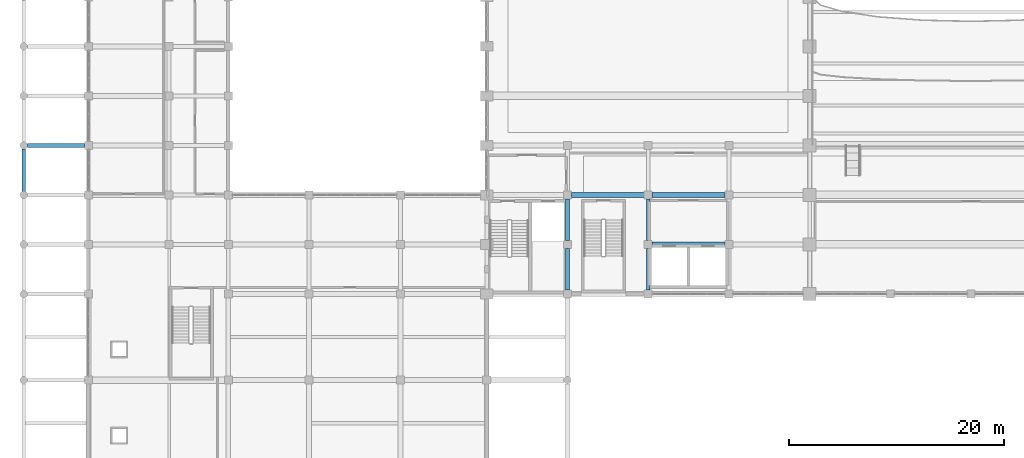
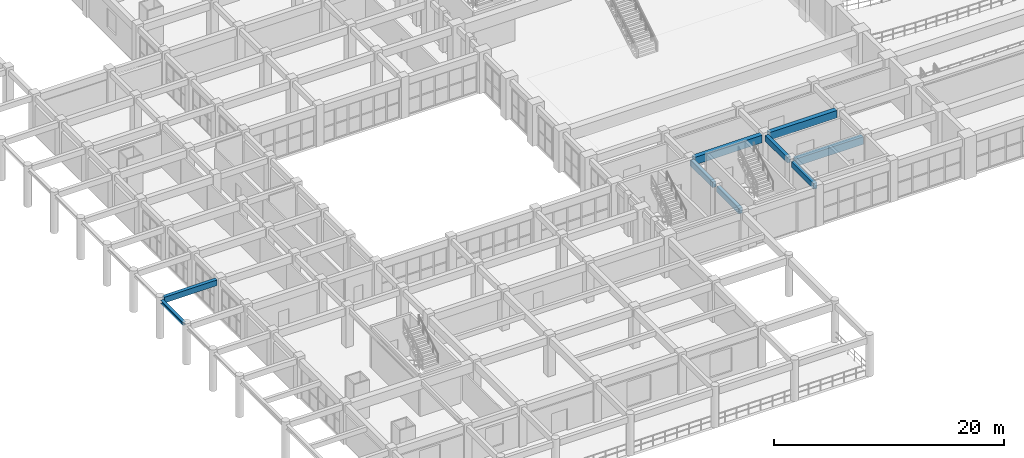
# One storey, part 17 of 116: 9 beams.
"""IFC4 building model written with IfcOpenShell, lengths in metres."""

import ifcopenshell
import ifcopenshell.guid

model = None  # the IFC model being written
_history = None  # IfcOwnerHistory: only IFC2X3 demands one
_inside = {}  # id of a spatial element -> (the spatial element, [elements in it])
_under = {}  # id of a project, library or spatial element -> (it, [spatial elements below it])
_declared = {}  # id of a project -> (the project, [libraries it declares])
_typed = {}  # id of a type object -> (the type object, [elements of that type])
_made_of = {}  # id of a material, layer set ... -> (it, [elements and type objects made of it])


def new_model(schema):
    """Start an empty IFC model of exactly this schema.

    Asked for "IFC4X3", IfcOpenShell would pick the latest addendum, in which some entities
    have other attributes; the version numbers below select the first issue.
    IFC2X3 requires an IfcOwnerHistory on every rooted entity: one is made here for all.
    """
    global model, _history
    if schema == "IFC4X3":
        model = ifcopenshell.file(schema_version=(4, 3, 0, 0))
    else:
        model = ifcopenshell.file(schema=schema)
    _inside.clear()
    _under.clear()
    _declared.clear()
    _typed.clear()
    _made_of.clear()
    _history = None
    if model.schema == "IFC2X3":
        org = make("IfcOrganization", Name="unknown")
        user = make(
            "IfcPersonAndOrganization",
            ThePerson=make("IfcPerson", FamilyName="unknown"),
            TheOrganization=org,
        )
        app = make(
            "IfcApplication",
            ApplicationDeveloper=org,
            Version="unknown",
            ApplicationFullName="unknown",
            ApplicationIdentifier="unknown",
        )
        _history = make(
            "IfcOwnerHistory",
            OwningUser=user,
            OwningApplication=app,
            ChangeAction="ADDED",
            CreationDate=0,
        )
    return model


def make(cls, **values):
    """One entity of the class cls with the attributes given. An attribute that is None is left unset."""
    return model.create_entity(
        cls, **{name: value for name, value in values.items() if value is not None}
    )


def rooted(cls, **values):
    """An entity with a GlobalId (a new one), such as an element, a storey or a relation."""
    return make(cls, GlobalId=ifcopenshell.guid.new(), OwnerHistory=_history, **values)


def si_unit(unit_type, name, prefix=None):
    """IfcSIUnit, for example si_unit("LENGTHUNIT", "METRE", prefix="MILLI")."""
    return make("IfcSIUnit", UnitType=unit_type, Prefix=prefix, Name=name)


def assignment(units):
    """IfcUnitAssignment: the units of a project."""
    return None if units is None else make("IfcUnitAssignment", Units=units)


def point(xyz):
    """IfcCartesianPoint."""
    return None if xyz is None else make("IfcCartesianPoint", Coordinates=xyz)


def direction(xyz):
    """IfcDirection."""
    return None if xyz is None else make("IfcDirection", DirectionRatios=xyz)


def frame(location, z_axis=None, x_axis=None):
    """IfcAxis2Placement3D, a coordinate frame: its origin and axes. An axis left out is left unset."""
    return make(
        "IfcAxis2Placement3D",
        Location=point(location),
        Axis=direction(z_axis),
        RefDirection=direction(x_axis),
    )


def frame_2d(location, x_axis=None):
    """IfcAxis2Placement2D, a coordinate frame in the plane: its origin and x axis."""
    return make(
        "IfcAxis2Placement2D", Location=point(location), RefDirection=direction(x_axis)
    )


def origin():
    """The frame at (0, 0, 0) with its axes left unset."""
    return frame((0.0, 0.0, 0.0))


def origin_2d():
    """The frame at (0, 0) in the plane with its x axis left unset."""
    return frame_2d((0.0, 0.0))


def place(relative_to, where):
    """IfcLocalPlacement: puts the frame where relative to a parent placement (None: the world)."""
    return make(
        "IfcLocalPlacement", PlacementRelTo=relative_to, RelativePlacement=where
    )


def context(
    kind, dimensions, precision=None, world=None, true_north=None, identifier=None
):
    """IfcGeometricRepresentationContext, for example the 3D "Model" context."""
    return make(
        "IfcGeometricRepresentationContext",
        ContextIdentifier=identifier,
        ContextType=kind,
        CoordinateSpaceDimension=dimensions,
        Precision=precision,
        WorldCoordinateSystem=world,
        TrueNorth=true_north,
    )


def subcontext(parent, identifier, kind, view, scale=None):
    """IfcGeometricRepresentationSubContext, for example "Body" below "Model"."""
    return make(
        "IfcGeometricRepresentationSubContext",
        ContextIdentifier=identifier,
        ContextType=kind,
        ParentContext=parent,
        TargetScale=scale,
        TargetView=view,
    )


def project(units=None, contexts=None):
    """IfcProject with its units and contexts."""
    return rooted(
        "IfcProject",
        Name="project",
        RepresentationContexts=contexts,
        UnitsInContext=assignment(units),
    )


def spatial(cls, under=None, at=None, **own):
    """A site, building, storey or space (cls), placed at a placement, below another one or the project."""
    s = rooted(cls, ObjectPlacement=at, **own)
    if under is not None:
        _under.setdefault(under.id(), (under, []))[1].append(s)
    return s


def profile(cls, at=None, kind="AREA", **sizes):
    """A parametric profile (cls). Its sizes go by their IFC names, for example OverallWidth=200.0."""
    return make(cls, ProfileType=kind, Position=at, **sizes)


def rectangle(**sizes):
    """IfcRectangleProfileDef."""
    return profile("IfcRectangleProfileDef", **sizes)


def i_section(**sizes):
    """IfcIShapeProfileDef."""
    return profile("IfcIShapeProfileDef", **sizes)


def extrude(swept, where, along, depth):
    """IfcExtrudedAreaSolid: the profile swept, set in the frame where, extruded along a direction by depth."""
    return make(
        "IfcExtrudedAreaSolid",
        SweptArea=swept,
        Position=where,
        ExtrudedDirection=direction(along),
        Depth=depth,
    )


def shape(context_of_items, identifier, shape_type, items):
    """IfcShapeRepresentation: the items that make up one representation, for example the "Body"."""
    return make(
        "IfcShapeRepresentation",
        ContextOfItems=context_of_items,
        RepresentationIdentifier=identifier,
        RepresentationType=shape_type,
        Items=items,
    )


def material(Name=None, Category=None):
    """IfcMaterial."""
    return make("IfcMaterial", Name=Name, Category=Category)


def material_profile(
    of_material, cross_section, Name=None, Category=None, Priority=None
):
    """IfcMaterialProfile: a cross section and its material."""
    return make(
        "IfcMaterialProfile",
        Name=Name,
        Material=of_material,
        Profile=cross_section,
        Priority=Priority,
        Category=Category,
    )


def profile_set(profiles, Name=None, composite=None):
    """IfcMaterialProfileSet."""
    return make(
        "IfcMaterialProfileSet",
        Name=Name,
        MaterialProfiles=profiles,
        CompositeProfile=composite,
    )


def made_of(thing, what):
    """Note that an element or type object is made of a material, layer set ...; save() writes the relation."""
    if what is not None:
        _made_of.setdefault(what.id(), (what, []))[1].append(thing)
    return thing


def type_object(cls, material=None, **own):
    """A type object (cls), such as IfcWallType, which elements share."""
    return made_of(rooted(cls, **own), material)


def element(
    cls,
    number,
    at=None,
    inside=None,
    cuts=None,
    type_object=None,
    material=None,
    context=None,
    identifier="Body",
    shape_type=None,
    held_by="IfcProductDefinitionShape",
    body=None,
    shapes=None,
    **own,
):
    """One element of the class cls, such as IfcWall. Its Tag is "e" and its number.

    at: its placement. inside: the storey or other place that contains it. cuts: it is an
    opening in that element (IfcRelVoidsElement). A single representation is given by context,
    identifier, shape_type and body (its items); several are given by shapes. held_by: the class
    of the entity that holds the representations. save() writes the other relations.
    """
    e = rooted(cls, Tag="e%d" % number, ObjectPlacement=at, **own)
    if body is not None:
        shapes = [shape(context, identifier, shape_type, body)]
    if shapes is not None:
        e.Representation = make(held_by, Representations=shapes)
    if inside is not None:
        _inside.setdefault(inside.id(), (inside, []))[1].append(e)
    if cuts is not None:
        rooted(
            "IfcRelVoidsElement", RelatingBuildingElement=cuts, RelatedOpeningElement=e
        )
    if type_object is not None:
        _typed.setdefault(type_object.id(), (type_object, []))[1].append(e)
    return made_of(e, material)


def aggregate(whole, parts):
    """IfcRelAggregates: a whole, such as a stair, and the parts it consists of."""
    return rooted("IfcRelAggregates", RelatingObject=whole, RelatedObjects=parts)


def save(model, path):
    """Write the relations noted so far, then the file.

    IfcRelAggregates (storeys below a building ...), IfcRelContainedInSpatialStructure (elements
    in a storey), IfcRelDefinesByType, IfcRelAssociatesMaterial and IfcRelDeclares: one each for
    every whole, place, type object, material and project.
    """
    for whole, parts in _under.values():
        aggregate(whole, parts)
    for where, things in _inside.values():
        rooted(
            "IfcRelContainedInSpatialStructure",
            RelatedElements=things,
            RelatingStructure=where,
        )
    for kind, things in _typed.values():
        rooted("IfcRelDefinesByType", RelatedObjects=things, RelatingType=kind)
    for what, things in _made_of.values():
        rooted("IfcRelAssociatesMaterial", RelatedObjects=things, RelatingMaterial=what)
    for by, libraries in _declared.values():
        rooted("IfcRelDeclares", RelatingContext=by, RelatedDefinitions=libraries)
    model.write(path)


model = new_model("IFC4")

# Units and contexts
model_context = context("Model", 3, precision=1e-05, world=origin(), true_north=direction((0.0, 1.0)))
body_context = subcontext(model_context, "Body", "Model", "MODEL_VIEW")
ifc_project = project(units=[si_unit("LENGTHUNIT", "METRE"), si_unit("AREAUNIT", "SQUARE_METRE"), si_unit("VOLUMEUNIT", "CUBIC_METRE"), si_unit("PLANEANGLEUNIT", "RADIAN"), si_unit("MASSUNIT", "GRAM", prefix="KILO")], contexts=[model_context])

# Site, building, storey
site_placement = place(None, origin())
site = spatial("IfcSite", under=ifc_project, at=site_placement, CompositionType="ELEMENT")
building_placement = place(site_placement, origin())
building = spatial("IfcBuilding", under=site, at=building_placement, Name="Muzn Square Opera House", CompositionType="ELEMENT")
storey_placement = place(building_placement, frame((0.0, 0.0, 5.39990234375)))
storey = spatial("IfcBuildingStorey", under=building, at=storey_placement, Name="L01", CompositionType="ELEMENT", Elevation=5.39990234375)

# Beams
ifc_material_1 = material(Name="Concrete C40/50", Category="concrete")
ifc_material_profile_1 = material_profile(ifc_material_1, rectangle(XDim=0.35009765625, YDim=0.60009765625, at=origin_2d()), Name="RCB 350x600", Category="concrete")
ifc_profile_set_1 = profile_set([ifc_material_profile_1], Name="Concrete C40/50")
beam_type_1 = type_object("IfcBeamType", Name="Primary Girder 350x600", PredefinedType="BEAM", material=ifc_profile_set_1)
beam_1_placement = place(storey_placement, frame((0.342041015625, 35.800048828125, 3.85009765625), z_axis=(1.0, 0.0, 0.0), x_axis=(0.0, 1.0, 0.0)))
element("IfcBeam", 1, at=beam_1_placement, inside=storey, type_object=beam_type_1, Name="Primary Girder BM-L01-BM-PG600-3_358_56_358-1333", PredefinedType="BEAM", context=body_context, shape_type="SweptSolid", body=[
    extrude(rectangle(XDim=0.35009765625, YDim=0.60009765625, at=origin_2d()), origin(), (0.0, 0.0, 1.0), 5.291015625),
])
for number, where, z_axis, x_axis, name in (
    (2, (50.5, 22.366943359375, 3.820068359375), (0.0, 1.0, 0.0), (-1.0, 0.0, 0.0), "Primary Girder BM-L01-BM-PG600-505_224_505_262-1617"),
    (3, (50.5, 26.967041015625, 3.820068359375), (0.0, 1.0, 0.0), (-1.0, 0.0, 0.0), "Primary Girder BM-L01-BM-PG600-505_270_505_308-1618"),
    (4, (58.0, 22.366943359375, 3.820068359375), (0.0, 1.0, 0.0), (-1.0, 0.0, 0.0), "Primary Girder BM-L01-BM-PG600-580_224_580_262-1626"),
    (5, (58.0, 26.967041015625, 3.820068359375), (0.0, 1.0, 0.0), (-1.0, 0.0, 0.0), "Primary Girder BM-L01-BM-PG600-580_270_580_308-1627"),
):
    element("IfcBeam", number, at=place(storey_placement, frame(where, z_axis=z_axis, x_axis=x_axis)), inside=storey, type_object=beam_type_1, Name=name, PredefinedType="BEAM", context=body_context, shape_type="SweptSolid", body=[
        extrude(rectangle(XDim=0.35009765625, YDim=0.60009765625, at=origin_2d()), origin(), (0.0, 0.0, 1.0), 3.865966796875),
    ])
ifc_material_profile_2 = material_profile(ifc_material_1, rectangle(XDim=0.449951171875, YDim=0.800048828125, at=origin_2d()), Name="RCB 450x800", Category="concrete")
ifc_profile_set_2 = profile_set([ifc_material_profile_2], Name="Concrete C40/50")
beam_type_2 = type_object("IfcBeamType", Name="Primary Girder 450x800", PredefinedType="BEAM", material=ifc_profile_set_2)
for number, where, z_axis, x_axis, name in (
    (6, (58.366943359375, 26.60009765625, 3.72021484375), (1.0, 0.0, 0.0), (0.0, 1.0, 0.0), "Primary Girder BM-L01-BM-PG800-584_266_651_266-1301"),
    (7, (50.866943359375, 31.199951171875, 3.72021484375), (1.0, 0.0, 0.0), (0.0, 1.0, 0.0), "Primary Girder BM-L01-BM-PG800-509_312_576_312-1319"),
    (8, (58.366943359375, 31.199951171875, 3.72021484375), (1.0, 0.0, 0.0), (0.0, 1.0, 0.0), "Primary Girder BM-L01-BM-PG800-584_312_651_312-1320"),
):
    element("IfcBeam", number, at=place(storey_placement, frame(where, z_axis=z_axis, x_axis=x_axis)), inside=storey, type_object=beam_type_2, Name=name, PredefinedType="BEAM", context=body_context, shape_type="SweptSolid", body=[
        extrude(rectangle(XDim=0.449951171875, YDim=0.800048828125, at=origin_2d()), origin(), (0.0, 0.0, 1.0), 6.76611328125),
    ])
ifc_material_2 = material(Name="Steel S355", Category="steel")
ifc_material_profile_3 = material_profile(ifc_material_2, i_section(OverallWidth=0.300048828125, OverallDepth=0.330078125, WebThickness=0.009521484375, FlangeThickness=0.0166015625, FilletRadius=0.027099609375, at=origin_2d()), Name="HEA 340", Category="steel")
ifc_profile_set_3 = profile_set([ifc_material_profile_3], Name="Steel S355")
beam_type_3 = type_object("IfcBeamType", Name="Steel Spandrel Beam HEA340", PredefinedType="SPANDREL", material=ifc_profile_set_3)
beam_2_placement = place(storey_placement, frame((0.0, 31.5419921875, 3.955078125), z_axis=(0.0, 1.0, 0.0), x_axis=(-1.0, 0.0, 0.0)))
element("IfcBeam", 9, at=beam_2_placement, inside=storey, type_object=beam_type_3, Name="Spandrel Beam BM-L01-BM-SSP340-0_315_0_355-1513", PredefinedType="SPANDREL", context=body_context, shape_type="SweptSolid", body=[
    extrude(i_section(OverallWidth=0.300048828125, OverallDepth=0.330078125, WebThickness=0.009521484375, FlangeThickness=0.0166015625, FilletRadius=0.027099609375, at=origin_2d()), origin(), (0.0, 0.0, 1.0), 3.916015625),
])

save(model, "model.ifc")
